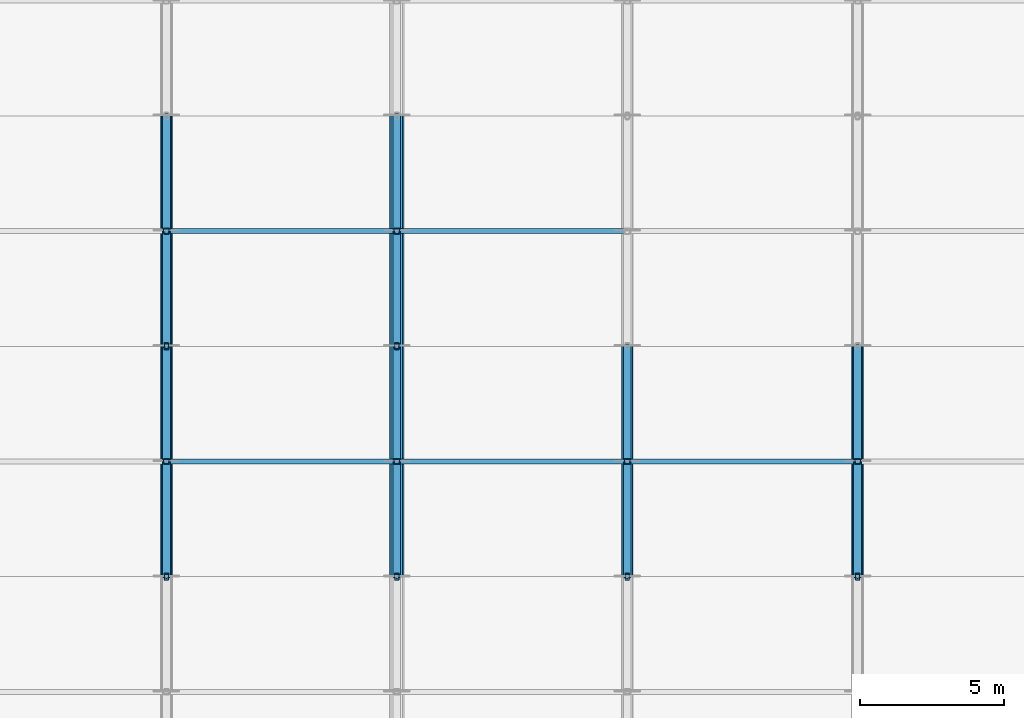
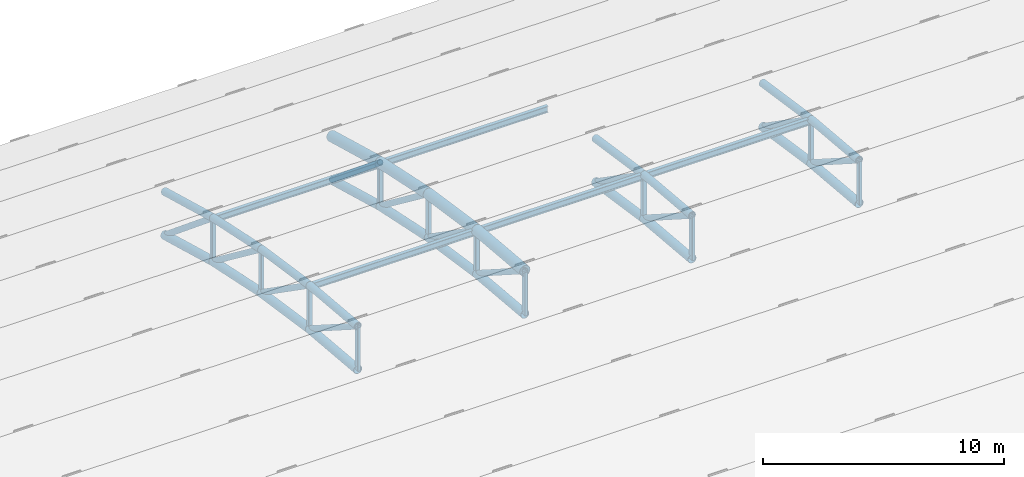
# One storey, part 31 of 98: 53 members.
"""IFC4 building model written with IfcOpenShell, lengths in metres."""

from ifc_helpers import new_model, si_unit, direction, frame, origin, origin_2d, place, context, subcontext, project, spatial, hollow_rectangle, hollow_circle, i_section, extrude, material, material_profile, profile_set, type_object, element, save


model = new_model("IFC4")

# Units and contexts
model_context = context("Model", 3, precision=1e-05, world=origin(), true_north=direction((0.0, 1.0)))
body_context = subcontext(model_context, "Body", "Model", "MODEL_VIEW")
ifc_project = project(units=[si_unit("LENGTHUNIT", "METRE"), si_unit("AREAUNIT", "SQUARE_METRE"), si_unit("VOLUMEUNIT", "CUBIC_METRE"), si_unit("PLANEANGLEUNIT", "RADIAN"), si_unit("MASSUNIT", "GRAM", prefix="KILO")], contexts=[model_context])

# Site, building, storey
site_placement = place(None, origin())
site = spatial("IfcSite", under=ifc_project, at=site_placement, CompositionType="ELEMENT")
building_placement = place(site_placement, origin())
building = spatial("IfcBuilding", under=site, at=building_placement, Name="Tlacozan Convention Centre", CompositionType="ELEMENT")
storey_placement = place(building_placement, frame((0.0, 0.0, 25.800048828125)))
storey = spatial("IfcBuildingStorey", under=building, at=storey_placement, Name="Roof", CompositionType="ELEMENT", Elevation=25.800048828125)

# Members
ifc_material_1 = material(Name="Steel ASTM A500 Grade C", Category="steel")
ifc_material_profile_1 = material_profile(ifc_material_1, hollow_circle(Radius=0.203125, WallThickness=0.015869140625, at=origin_2d()), Name="OC 406.4x15.9")
ifc_profile_set_1 = profile_set([ifc_material_profile_1], Name="Steel ASTM A500 Grade C")
member_type_1 = type_object("IfcMemberType", Name="Arch Bottom Chord OC 406.4x15.9", PredefinedType="CHORD", material=ifc_profile_set_1)
member_1_placement = place(storey_placement, frame((64.0, 98.0, -4.917724609375), z_axis=(0.0, 0.996095959668, -0.088277058926), x_axis=(-1.0, 0.0, 0.0)))
element("IfcMember", 1, at=member_1_placement, inside=storey, type_object=member_type_1, Name="V2A Roof Truss 9 Bottom Chord 10", PredefinedType="CHORD", context=body_context, shape_type="SweptSolid", body=[
    extrude(hollow_circle(Radius=0.203125, WallThickness=0.015869140625, at=origin_2d()), origin(), (0.0, 0.0, 1.0), 4.015625),
])
member_2_placement = place(storey_placement, frame((64.0, 102.0, -5.272216796875), z_axis=(0.0, 0.98911804631, -0.147124064872), x_axis=(-1.0, 0.0, 0.0)))
element("IfcMember", 2, at=member_2_placement, inside=storey, type_object=member_type_1, Name="V2A Roof Truss 9 Bottom Chord 11", PredefinedType="CHORD", context=body_context, shape_type="SweptSolid", body=[
    extrude(hollow_circle(Radius=0.203125, WallThickness=0.015869140625, at=origin_2d()), origin(), (0.0, 0.0, 1.0), 4.0439453125),
])
member_3_placement = place(storey_placement, frame((64.0, 106.0, -5.8671875), z_axis=(0.0, 0.978552953366, -0.205995430674), x_axis=(-1.0, 0.0, 0.0)))
element("IfcMember", 3, at=member_3_placement, inside=storey, type_object=member_type_1, Name="V2A Roof Truss 9 Bottom Chord 12", PredefinedType="CHORD", context=body_context, shape_type="SweptSolid", body=[
    extrude(hollow_circle(Radius=0.203125, WallThickness=0.015869140625, at=origin_2d()), origin(), (0.0, 0.0, 1.0), 4.087646484375),
])
member_4_placement = place(storey_placement, frame((64.0, 110.0, -6.709228515625), z_axis=(0.0, 0.964289609145, -0.26485005134), x_axis=(-1.0, 0.0, 0.0)))
element("IfcMember", 4, at=member_4_placement, inside=storey, type_object=member_type_1, Name="V2A Roof Truss 9 Bottom Chord 13", PredefinedType="CHORD", context=body_context, shape_type="SweptSolid", body=[
    extrude(hollow_circle(Radius=0.203125, WallThickness=0.015869140625, at=origin_2d()), origin(), (0.0, 0.0, 1.0), 4.148193359375),
])
member_5_placement = place(storey_placement, frame((72.0, 98.0, -4.917724609375), z_axis=(0.0, 0.996095959668, -0.088277058926), x_axis=(-1.0, 0.0, 0.0)))
element("IfcMember", 5, at=member_5_placement, inside=storey, type_object=member_type_1, Name="V2A Roof Truss 10 Bottom Chord 10", PredefinedType="CHORD", context=body_context, shape_type="SweptSolid", body=[
    extrude(hollow_circle(Radius=0.203125, WallThickness=0.015869140625, at=origin_2d()), origin(), (0.0, 0.0, 1.0), 4.015625),
])
member_6_placement = place(storey_placement, frame((72.0, 102.0, -5.272216796875), z_axis=(0.0, 0.98911804631, -0.147124064872), x_axis=(-1.0, 0.0, 0.0)))
element("IfcMember", 6, at=member_6_placement, inside=storey, type_object=member_type_1, Name="V2A Roof Truss 10 Bottom Chord 11", PredefinedType="CHORD", context=body_context, shape_type="SweptSolid", body=[
    extrude(hollow_circle(Radius=0.203125, WallThickness=0.015869140625, at=origin_2d()), origin(), (0.0, 0.0, 1.0), 4.0439453125),
])
member_7_placement = place(storey_placement, frame((72.0, 106.0, -5.8671875), z_axis=(0.0, 0.978552953366, -0.205995430674), x_axis=(-1.0, 0.0, 0.0)))
element("IfcMember", 7, at=member_7_placement, inside=storey, type_object=member_type_1, Name="V2A Roof Truss 10 Bottom Chord 12", PredefinedType="CHORD", context=body_context, shape_type="SweptSolid", body=[
    extrude(hollow_circle(Radius=0.203125, WallThickness=0.015869140625, at=origin_2d()), origin(), (0.0, 0.0, 1.0), 4.087646484375),
])
member_8_placement = place(storey_placement, frame((72.0, 110.0, -6.709228515625), z_axis=(0.0, 0.964289609145, -0.26485005134), x_axis=(-1.0, 0.0, 0.0)))
element("IfcMember", 8, at=member_8_placement, inside=storey, type_object=member_type_1, Name="V2A Roof Truss 10 Bottom Chord 13", PredefinedType="CHORD", context=body_context, shape_type="SweptSolid", body=[
    extrude(hollow_circle(Radius=0.203125, WallThickness=0.015869140625, at=origin_2d()), origin(), (0.0, 0.0, 1.0), 4.148193359375),
])
member_9_placement = place(storey_placement, frame((80.0, 98.0, -4.917724609375), z_axis=(0.0, 0.996095959668, -0.088277058926), x_axis=(-1.0, 0.0, 0.0)))
element("IfcMember", 9, at=member_9_placement, inside=storey, type_object=member_type_1, Name="V2A Roof Truss 11 Bottom Chord 10", PredefinedType="CHORD", context=body_context, shape_type="SweptSolid", body=[
    extrude(hollow_circle(Radius=0.203125, WallThickness=0.015869140625, at=origin_2d()), origin(), (0.0, 0.0, 1.0), 4.015625),
])
member_10_placement = place(storey_placement, frame((80.0, 102.0, -5.272216796875), z_axis=(0.0, 0.98911804631, -0.147124064872), x_axis=(-1.0, 0.0, 0.0)))
element("IfcMember", 10, at=member_10_placement, inside=storey, type_object=member_type_1, Name="V2A Roof Truss 11 Bottom Chord 11", PredefinedType="CHORD", context=body_context, shape_type="SweptSolid", body=[
    extrude(hollow_circle(Radius=0.203125, WallThickness=0.015869140625, at=origin_2d()), origin(), (0.0, 0.0, 1.0), 4.0439453125),
])
member_11_placement = place(storey_placement, frame((88.0, 98.0, -4.917724609375), z_axis=(0.0, 0.996095959668, -0.088277058926), x_axis=(-1.0, 0.0, 0.0)))
element("IfcMember", 11, at=member_11_placement, inside=storey, type_object=member_type_1, Name="V2A Roof Truss 12 Bottom Chord 10", PredefinedType="CHORD", context=body_context, shape_type="SweptSolid", body=[
    extrude(hollow_circle(Radius=0.203125, WallThickness=0.015869140625, at=origin_2d()), origin(), (0.0, 0.0, 1.0), 4.015625),
])
member_12_placement = place(storey_placement, frame((88.0, 102.0, -5.272216796875), z_axis=(0.0, 0.98911804631, -0.147124064872), x_axis=(-1.0, 0.0, 0.0)))
element("IfcMember", 12, at=member_12_placement, inside=storey, type_object=member_type_1, Name="V2A Roof Truss 12 Bottom Chord 11", PredefinedType="CHORD", context=body_context, shape_type="SweptSolid", body=[
    extrude(hollow_circle(Radius=0.203125, WallThickness=0.015869140625, at=origin_2d()), origin(), (0.0, 0.0, 1.0), 4.0439453125),
])
ifc_material_profile_2 = material_profile(ifc_material_1, hollow_circle(Radius=0.25390625, WallThickness=0.01904296875, at=origin_2d()), Name="OC 508.0x19.1")
ifc_profile_set_2 = profile_set([ifc_material_profile_2], Name="Steel ASTM A500 Grade C")
member_type_2 = type_object("IfcMemberType", Name="Arch Top Chord OC 508x19.1", PredefinedType="CHORD", material=ifc_profile_set_2)
member_13_placement = place(storey_placement, frame((72.0, 98.0, -2.7177734375), z_axis=(0.0, 0.996095959668, -0.088277058926), x_axis=(-1.0, 0.0, 0.0)))
element("IfcMember", 13, at=member_13_placement, inside=storey, type_object=member_type_2, Name="V2A Roof Truss 10 Top Chord 10", PredefinedType="CHORD", context=body_context, shape_type="SweptSolid", body=[
    extrude(hollow_circle(Radius=0.25390625, WallThickness=0.01904296875, at=origin_2d()), origin(), (0.0, 0.0, 1.0), 4.015625),
])
member_14_placement = place(storey_placement, frame((72.0, 102.0, -3.072265625), z_axis=(0.0, 0.98911804631, -0.147124064872), x_axis=(-1.0, 0.0, 0.0)))
element("IfcMember", 14, at=member_14_placement, inside=storey, type_object=member_type_2, Name="V2A Roof Truss 10 Top Chord 11", PredefinedType="CHORD", context=body_context, shape_type="SweptSolid", body=[
    extrude(hollow_circle(Radius=0.25390625, WallThickness=0.01904296875, at=origin_2d()), origin(), (0.0, 0.0, 1.0), 4.0439453125),
])
member_15_placement = place(storey_placement, frame((72.0, 106.0, -3.667236328125), z_axis=(0.0, 0.978552953366, -0.205995430674), x_axis=(-1.0, 0.0, 0.0)))
element("IfcMember", 15, at=member_15_placement, inside=storey, type_object=member_type_2, Name="V2A Roof Truss 10 Top Chord 12", PredefinedType="CHORD", context=body_context, shape_type="SweptSolid", body=[
    extrude(hollow_circle(Radius=0.25390625, WallThickness=0.01904296875, at=origin_2d()), origin(), (0.0, 0.0, 1.0), 4.087646484375),
])
member_16_placement = place(storey_placement, frame((72.0, 110.0, -4.50927734375), z_axis=(0.0, 0.964304639076, -0.264795322949), x_axis=(-1.0, 0.0, 0.0)))
element("IfcMember", 16, at=member_16_placement, inside=storey, type_object=member_type_2, Name="V2A Roof Truss 10 Top Chord 13", PredefinedType="CHORD", context=body_context, shape_type="SweptSolid", body=[
    extrude(hollow_circle(Radius=0.25390625, WallThickness=0.01904296875, at=origin_2d()), origin(), (0.0, 0.0, 1.0), 4.14794921875),
])
ifc_material_profile_3 = material_profile(ifc_material_1, hollow_circle(Radius=0.136474609375, WallThickness=0.0126953125, at=origin_2d()), Name="OC 273.1x12.7")
ifc_profile_set_3 = profile_set([ifc_material_profile_3], Name="Steel ASTM A500 Grade C")
member_type_3 = type_object("IfcMemberType", Name="Arch Web Diagonal OC 273.1x12.7", PredefinedType="BRACE", material=ifc_profile_set_3)
member_17_placement = place(storey_placement, frame((64.0, 98.0, -2.7177734375), z_axis=(0.0, 0.842802563321, -0.538222852785), x_axis=(-1.0, 0.0, 0.0)))
element("IfcMember", 17, at=member_17_placement, inside=storey, type_object=member_type_3, Name="V2A Roof Truss 9 Web Diagonal 10", PredefinedType="BRACE", context=body_context, shape_type="SweptSolid", body=[
    extrude(hollow_circle(Radius=0.136474609375, WallThickness=0.0126953125, at=origin_2d()), origin(), (0.0, 0.0, 1.0), 4.74609375),
])
member_18_placement = place(storey_placement, frame((64.0, 102.0, -3.072265625), z_axis=(0.0, 0.819720523855, -0.572763705877), x_axis=(-1.0, 0.0, 0.0)))
element("IfcMember", 18, at=member_18_placement, inside=storey, type_object=member_type_3, Name="V2A Roof Truss 9 Web Diagonal 11", PredefinedType="BRACE", context=body_context, shape_type="SweptSolid", body=[
    extrude(hollow_circle(Radius=0.136474609375, WallThickness=0.0126953125, at=origin_2d()), origin(), (0.0, 0.0, 1.0), 4.879638671875),
])
member_19_placement = place(storey_placement, frame((64.0, 106.0, -3.667236328125), z_axis=(0.0, 0.795971176065, -0.605334524766), x_axis=(-1.0, 0.0, 0.0)))
element("IfcMember", 19, at=member_19_placement, inside=storey, type_object=member_type_3, Name="V2A Roof Truss 9 Web Diagonal 12", PredefinedType="BRACE", context=body_context, shape_type="SweptSolid", body=[
    extrude(hollow_circle(Radius=0.136474609375, WallThickness=0.0126953125, at=origin_2d()), origin(), (0.0, 0.0, 1.0), 5.025390625),
])
member_20_placement = place(storey_placement, frame((64.0, 110.0, -4.50927734375), z_axis=(0.0, 0.771507331308, -0.63622043172), x_axis=(-1.0, 0.0, 0.0)))
element("IfcMember", 20, at=member_20_placement, inside=storey, type_object=member_type_3, Name="V2A Roof Truss 9 Web Diagonal 13", PredefinedType="BRACE", context=body_context, shape_type="SweptSolid", body=[
    extrude(hollow_circle(Radius=0.136474609375, WallThickness=0.0126953125, at=origin_2d()), origin(), (0.0, 0.0, 1.0), 5.1845703125),
])
member_21_placement = place(storey_placement, frame((72.0, 98.0, -2.7177734375), z_axis=(0.0, 0.842802563321, -0.538222852785), x_axis=(-1.0, 0.0, 0.0)))
element("IfcMember", 21, at=member_21_placement, inside=storey, type_object=member_type_3, Name="V2A Roof Truss 10 Web Diagonal 10", PredefinedType="BRACE", context=body_context, shape_type="SweptSolid", body=[
    extrude(hollow_circle(Radius=0.136474609375, WallThickness=0.0126953125, at=origin_2d()), origin(), (0.0, 0.0, 1.0), 4.74609375),
])
member_22_placement = place(storey_placement, frame((72.0, 102.0, -3.072265625), z_axis=(0.0, 0.819720523855, -0.572763705877), x_axis=(-1.0, 0.0, 0.0)))
element("IfcMember", 22, at=member_22_placement, inside=storey, type_object=member_type_3, Name="V2A Roof Truss 10 Web Diagonal 11", PredefinedType="BRACE", context=body_context, shape_type="SweptSolid", body=[
    extrude(hollow_circle(Radius=0.136474609375, WallThickness=0.0126953125, at=origin_2d()), origin(), (0.0, 0.0, 1.0), 4.879638671875),
])
member_23_placement = place(storey_placement, frame((72.0, 106.0, -3.667236328125), z_axis=(0.0, 0.795971176065, -0.605334524766), x_axis=(-1.0, 0.0, 0.0)))
element("IfcMember", 23, at=member_23_placement, inside=storey, type_object=member_type_3, Name="V2A Roof Truss 10 Web Diagonal 12", PredefinedType="BRACE", context=body_context, shape_type="SweptSolid", body=[
    extrude(hollow_circle(Radius=0.136474609375, WallThickness=0.0126953125, at=origin_2d()), origin(), (0.0, 0.0, 1.0), 5.025390625),
])
member_24_placement = place(storey_placement, frame((72.0, 110.0, -4.50927734375), z_axis=(0.0, 0.771507331308, -0.63622043172), x_axis=(-1.0, 0.0, 0.0)))
element("IfcMember", 24, at=member_24_placement, inside=storey, type_object=member_type_3, Name="V2A Roof Truss 10 Web Diagonal 13", PredefinedType="BRACE", context=body_context, shape_type="SweptSolid", body=[
    extrude(hollow_circle(Radius=0.136474609375, WallThickness=0.0126953125, at=origin_2d()), origin(), (0.0, 0.0, 1.0), 5.1845703125),
])
member_25_placement = place(storey_placement, frame((80.0, 98.0, -2.7177734375), z_axis=(0.0, 0.842802563321, -0.538222852785), x_axis=(-1.0, 0.0, 0.0)))
element("IfcMember", 25, at=member_25_placement, inside=storey, type_object=member_type_3, Name="V2A Roof Truss 11 Web Diagonal 10", PredefinedType="BRACE", context=body_context, shape_type="SweptSolid", body=[
    extrude(hollow_circle(Radius=0.136474609375, WallThickness=0.0126953125, at=origin_2d()), origin(), (0.0, 0.0, 1.0), 4.74609375),
])
member_26_placement = place(storey_placement, frame((80.0, 102.0, -3.072265625), z_axis=(0.0, 0.819720523855, -0.572763705877), x_axis=(-1.0, 0.0, 0.0)))
element("IfcMember", 26, at=member_26_placement, inside=storey, type_object=member_type_3, Name="V2A Roof Truss 11 Web Diagonal 11", PredefinedType="BRACE", context=body_context, shape_type="SweptSolid", body=[
    extrude(hollow_circle(Radius=0.136474609375, WallThickness=0.0126953125, at=origin_2d()), origin(), (0.0, 0.0, 1.0), 4.879638671875),
])
member_27_placement = place(storey_placement, frame((88.0, 98.0, -2.7177734375), z_axis=(0.0, 0.842802563321, -0.538222852785), x_axis=(-1.0, 0.0, 0.0)))
element("IfcMember", 27, at=member_27_placement, inside=storey, type_object=member_type_3, Name="V2A Roof Truss 12 Web Diagonal 10", PredefinedType="BRACE", context=body_context, shape_type="SweptSolid", body=[
    extrude(hollow_circle(Radius=0.136474609375, WallThickness=0.0126953125, at=origin_2d()), origin(), (0.0, 0.0, 1.0), 4.74609375),
])
member_28_placement = place(storey_placement, frame((88.0, 102.0, -3.072265625), z_axis=(0.0, 0.819720523855, -0.572763705877), x_axis=(-1.0, 0.0, 0.0)))
element("IfcMember", 28, at=member_28_placement, inside=storey, type_object=member_type_3, Name="V2A Roof Truss 12 Web Diagonal 11", PredefinedType="BRACE", context=body_context, shape_type="SweptSolid", body=[
    extrude(hollow_circle(Radius=0.136474609375, WallThickness=0.0126953125, at=origin_2d()), origin(), (0.0, 0.0, 1.0), 4.879638671875),
])
ifc_material_profile_4 = material_profile(ifc_material_1, hollow_rectangle(XDim=0.203125, YDim=0.203125, WallThickness=0.0126953125, InnerFilletRadius=0.0126953125, OuterFilletRadius=0.02490234375, at=origin_2d()), Name="OR 203x203x12.7")
ifc_profile_set_4 = profile_set([ifc_material_profile_4], Name="Steel ASTM A500 Grade C")
member_type_4 = type_object("IfcMemberType", Name="Arch Web Strut OR 203x203x12.7", PredefinedType="STRUT", material=ifc_profile_set_4)
for number, where, z_axis, x_axis, name in (
    (29, (64.0, 102.0, -5.272216796875), (0.0, 0.0, 1.0), (1.0, 0.0, 0.0), "V2A Roof Truss 9 Vertical Strut 11"),
    (30, (64.0, 110.0, -6.709228515625), (0.0, 0.0, 1.0), (1.0, 0.0, 0.0), "V2A Roof Truss 9 Vertical Strut 13"),
    (31, (72.0, 102.0, -5.272216796875), (0.0, 0.0, 1.0), (1.0, 0.0, 0.0), "V2A Roof Truss 10 Vertical Strut 11"),
    (32, (72.0, 110.0, -6.709228515625), (0.0, 0.0, 1.0), (1.0, 0.0, 0.0), "V2A Roof Truss 10 Vertical Strut 13"),
    (33, (80.0, 102.0, -5.272216796875), (0.0, 0.0, 1.0), (1.0, 0.0, 0.0), "V2A Roof Truss 11 Vertical Strut 11"),
    (34, (88.0, 102.0, -5.272216796875), (0.0, 0.0, 1.0), (1.0, 0.0, 0.0), "V2A Roof Truss 12 Vertical Strut 11"),
):
    element("IfcMember", number, at=place(storey_placement, frame(where, z_axis=z_axis, x_axis=x_axis)), inside=storey, type_object=member_type_4, Name=name, PredefinedType="STRUT", context=body_context, shape_type="SweptSolid", body=[
        extrude(hollow_rectangle(XDim=0.203125, YDim=0.203125, WallThickness=0.0126953125, InnerFilletRadius=0.0126953125, OuterFilletRadius=0.02490234375, at=origin_2d()), origin(), (0.0, 0.0, 1.0), 2.199951171875),
    ])
ifc_material_2 = material(Name="Steel ASTM A992 Grade 50", Category="steel")
ifc_material_profile_5 = material_profile(ifc_material_2, i_section(OverallWidth=0.1669921875, OverallDepth=0.31689453125, WebThickness=0.007568359375, FlangeThickness=0.01318359375, FilletRadius=0.010009765625, at=origin_2d()), Name="IR 305x52.2")
ifc_profile_set_5 = profile_set([ifc_material_profile_5], Name="Steel ASTM A992 Grade 50")
member_type_5 = type_object("IfcMemberType", Name="Roof Purlin IR 305x52.2", PredefinedType="PURLIN", material=ifc_profile_set_5)
for number, where, z_axis, x_axis, name in (
    (35, (64.0, 102.0, -3.13720703125), (1.0, 0.0, 0.0), (0.0, 1.0, 0.0), "V2A Roof Truss Purlin 9.11"),
    (36, (64.0, 110.0, -4.57421875), (1.0, 0.0, 0.0), (0.0, 1.0, 0.0), "V2A Roof Truss Purlin 9.13"),
    (37, (72.0, 102.0, -3.13720703125), (1.0, 0.0, 0.0), (0.0, 1.0, 0.0), "V2A Roof Truss Purlin 10.11"),
    (38, (72.0, 110.0, -4.57421875), (1.0, 0.0, 0.0), (0.0, 1.0, 0.0), "V2A Roof Truss Purlin 10.13"),
    (39, (80.0, 102.0, -3.13720703125), (1.0, 0.0, 0.0), (0.0, 1.0, 0.0), "V2A Roof Truss Purlin 11.11"),
):
    element("IfcMember", number, at=place(storey_placement, frame(where, z_axis=z_axis, x_axis=x_axis)), inside=storey, type_object=member_type_5, Name=name, PredefinedType="PURLIN", context=body_context, shape_type="SweptSolid", body=[
        extrude(i_section(OverallWidth=0.1669921875, OverallDepth=0.31689453125, WebThickness=0.007568359375, FlangeThickness=0.01318359375, FilletRadius=0.010009765625, at=origin_2d()), origin(), (0.0, 0.0, 1.0), 8.0),
    ])
ifc_material_profile_6 = material_profile(ifc_material_1, hollow_circle(Radius=0.177734375, WallThickness=0.015869140625, at=origin_2d()), Name="OC 355.6x15.9")
ifc_profile_set_6 = profile_set([ifc_material_profile_6], Name="Steel ASTM A500 Grade C")
member_type_6 = type_object("IfcMemberType", Name="Secondary Arch Chord OC 355.6x15.9", PredefinedType="CHORD", material=ifc_profile_set_6)
member_29_placement = place(storey_placement, frame((64.0, 98.0, -2.7177734375), z_axis=(0.0, 0.996095959668, -0.088277058926), x_axis=(-1.0, 0.0, 0.0)))
element("IfcMember", 40, at=member_29_placement, inside=storey, type_object=member_type_6, Name="V2A Roof Truss 9 Top Chord 10", PredefinedType="CHORD", context=body_context, shape_type="SweptSolid", body=[
    extrude(hollow_circle(Radius=0.177734375, WallThickness=0.015869140625, at=origin_2d()), origin(), (0.0, 0.0, 1.0), 4.015625),
])
member_30_placement = place(storey_placement, frame((64.0, 102.0, -3.072265625), z_axis=(0.0, 0.98911804631, -0.147124064872), x_axis=(-1.0, 0.0, 0.0)))
element("IfcMember", 41, at=member_30_placement, inside=storey, type_object=member_type_6, Name="V2A Roof Truss 9 Top Chord 11", PredefinedType="CHORD", context=body_context, shape_type="SweptSolid", body=[
    extrude(hollow_circle(Radius=0.177734375, WallThickness=0.015869140625, at=origin_2d()), origin(), (0.0, 0.0, 1.0), 4.0439453125),
])
member_31_placement = place(storey_placement, frame((64.0, 106.0, -3.667236328125), z_axis=(0.0, 0.978552953366, -0.205995430674), x_axis=(-1.0, 0.0, 0.0)))
element("IfcMember", 42, at=member_31_placement, inside=storey, type_object=member_type_6, Name="V2A Roof Truss 9 Top Chord 12", PredefinedType="CHORD", context=body_context, shape_type="SweptSolid", body=[
    extrude(hollow_circle(Radius=0.177734375, WallThickness=0.015869140625, at=origin_2d()), origin(), (0.0, 0.0, 1.0), 4.087646484375),
])
member_32_placement = place(storey_placement, frame((64.0, 110.0, -4.50927734375), z_axis=(0.0, 0.964304639076, -0.264795322949), x_axis=(-1.0, 0.0, 0.0)))
element("IfcMember", 43, at=member_32_placement, inside=storey, type_object=member_type_6, Name="V2A Roof Truss 9 Top Chord 13", PredefinedType="CHORD", context=body_context, shape_type="SweptSolid", body=[
    extrude(hollow_circle(Radius=0.177734375, WallThickness=0.015869140625, at=origin_2d()), origin(), (0.0, 0.0, 1.0), 4.14794921875),
])
member_33_placement = place(storey_placement, frame((80.0, 98.0, -2.7177734375), z_axis=(0.0, 0.996095959668, -0.088277058926), x_axis=(-1.0, 0.0, 0.0)))
element("IfcMember", 44, at=member_33_placement, inside=storey, type_object=member_type_6, Name="V2A Roof Truss 11 Top Chord 10", PredefinedType="CHORD", context=body_context, shape_type="SweptSolid", body=[
    extrude(hollow_circle(Radius=0.177734375, WallThickness=0.015869140625, at=origin_2d()), origin(), (0.0, 0.0, 1.0), 4.015625),
])
member_34_placement = place(storey_placement, frame((80.0, 102.0, -3.072265625), z_axis=(0.0, 0.98911804631, -0.147124064872), x_axis=(-1.0, 0.0, 0.0)))
element("IfcMember", 45, at=member_34_placement, inside=storey, type_object=member_type_6, Name="V2A Roof Truss 11 Top Chord 11", PredefinedType="CHORD", context=body_context, shape_type="SweptSolid", body=[
    extrude(hollow_circle(Radius=0.177734375, WallThickness=0.015869140625, at=origin_2d()), origin(), (0.0, 0.0, 1.0), 4.0439453125),
])
member_35_placement = place(storey_placement, frame((88.0, 98.0, -2.7177734375), z_axis=(0.0, 0.996095959668, -0.088277058926), x_axis=(-1.0, 0.0, 0.0)))
element("IfcMember", 46, at=member_35_placement, inside=storey, type_object=member_type_6, Name="V2A Roof Truss 12 Top Chord 10", PredefinedType="CHORD", context=body_context, shape_type="SweptSolid", body=[
    extrude(hollow_circle(Radius=0.177734375, WallThickness=0.015869140625, at=origin_2d()), origin(), (0.0, 0.0, 1.0), 4.015625),
])
member_36_placement = place(storey_placement, frame((88.0, 102.0, -3.072265625), z_axis=(0.0, 0.98911804631, -0.147124064872), x_axis=(-1.0, 0.0, 0.0)))
element("IfcMember", 47, at=member_36_placement, inside=storey, type_object=member_type_6, Name="V2A Roof Truss 12 Top Chord 11", PredefinedType="CHORD", context=body_context, shape_type="SweptSolid", body=[
    extrude(hollow_circle(Radius=0.177734375, WallThickness=0.015869140625, at=origin_2d()), origin(), (0.0, 0.0, 1.0), 4.0439453125),
])
ifc_material_profile_7 = material_profile(ifc_material_1, hollow_rectangle(XDim=0.15234375, YDim=0.25390625, WallThickness=0.0126953125, InnerFilletRadius=0.0126953125, OuterFilletRadius=0.02490234375, at=origin_2d()), Name="OR 254x152x12.7")
ifc_profile_set_7 = profile_set([ifc_material_profile_7], Name="Steel ASTM A500 Grade C")
member_type_7 = type_object("IfcMemberType", Name="Truss Secondary Strut OR 254x152x12.7", PredefinedType="STRUT", material=ifc_profile_set_7)
for number, where, z_axis, x_axis, name in (
    (48, (64.0, 98.0, -4.917724609375), (0.0, 0.0, 1.0), (1.0, 0.0, 0.0), "V2A Roof Truss 9 Vertical Strut 10"),
    (49, (64.0, 106.0, -5.8671875), (0.0, 0.0, 1.0), (1.0, 0.0, 0.0), "V2A Roof Truss 9 Vertical Strut 12"),
    (50, (72.0, 98.0, -4.917724609375), (0.0, 0.0, 1.0), (1.0, 0.0, 0.0), "V2A Roof Truss 10 Vertical Strut 10"),
    (51, (72.0, 106.0, -5.8671875), (0.0, 0.0, 1.0), (1.0, 0.0, 0.0), "V2A Roof Truss 10 Vertical Strut 12"),
    (52, (80.0, 98.0, -4.917724609375), (0.0, 0.0, 1.0), (1.0, 0.0, 0.0), "V2A Roof Truss 11 Vertical Strut 10"),
    (53, (88.0, 98.0, -4.917724609375), (0.0, 0.0, 1.0), (1.0, 0.0, 0.0), "V2A Roof Truss 12 Vertical Strut 10"),
):
    element("IfcMember", number, at=place(storey_placement, frame(where, z_axis=z_axis, x_axis=x_axis)), inside=storey, type_object=member_type_7, Name=name, PredefinedType="STRUT", context=body_context, shape_type="SweptSolid", body=[
        extrude(hollow_rectangle(XDim=0.15234375, YDim=0.25390625, WallThickness=0.0126953125, InnerFilletRadius=0.0126953125, OuterFilletRadius=0.02490234375, at=origin_2d()), origin(), (0.0, 0.0, 1.0), 2.199951171875),
    ])

save(model, "model.ifc")
